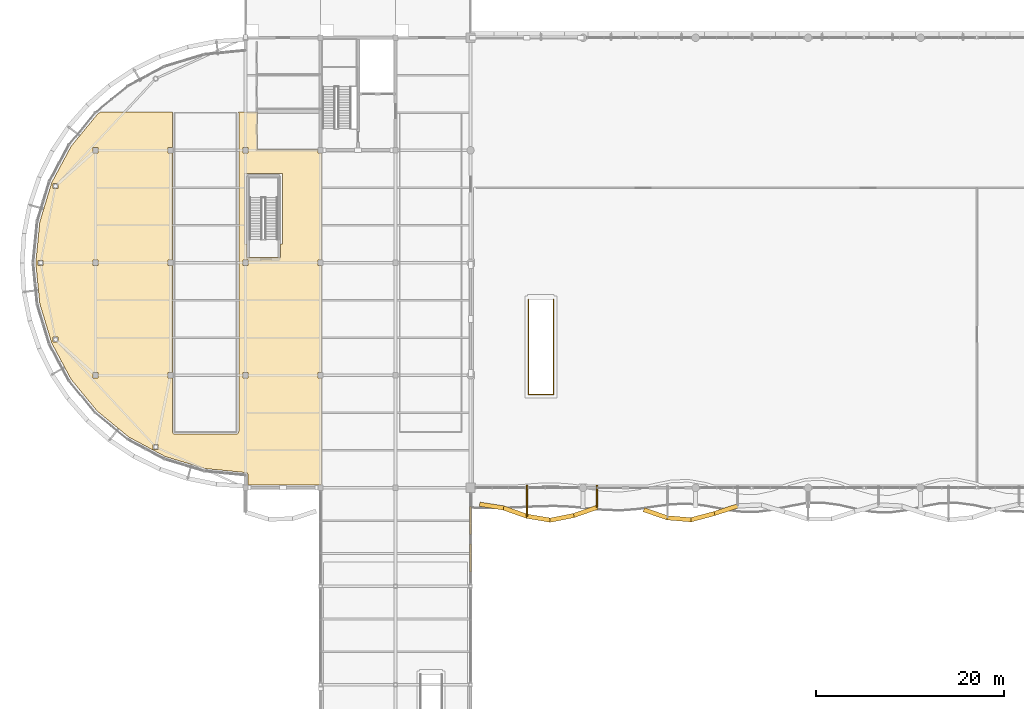
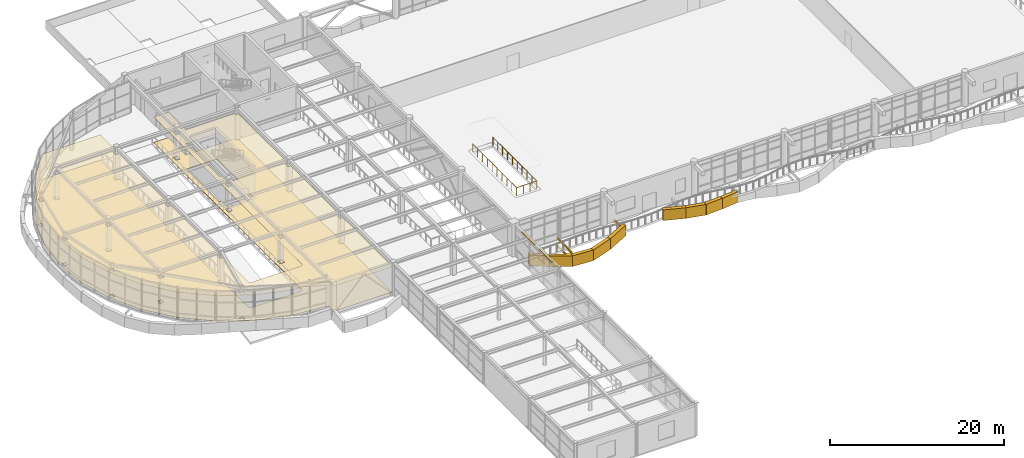
# One storey, part 58 of 72: 14 coverings, 2 shading devices, 1 railing.
"""IFC4 building model written with IfcOpenShell, lengths in metres."""

from ifc_helpers import new_model, si_unit, direction, frame, frame_2d, origin, origin_2d, place, context, subcontext, project, spatial, polyline, rectangle, circle, outline, extrude, material, layer, layer_set, type_object, element, save


model = new_model("IFC4")

# Units and contexts
model_context = context("Model", 3, precision=1e-05, world=origin(), true_north=direction((0.0, 1.0)))
body_context = subcontext(model_context, "Body", "Model", "MODEL_VIEW")
ifc_project = project(units=[si_unit("LENGTHUNIT", "METRE"), si_unit("AREAUNIT", "SQUARE_METRE"), si_unit("VOLUMEUNIT", "CUBIC_METRE"), si_unit("PLANEANGLEUNIT", "RADIAN"), si_unit("MASSUNIT", "GRAM", prefix="KILO")], contexts=[model_context])

# Site, building, storey
site_placement = place(None, origin())
site = spatial("IfcSite", under=ifc_project, at=site_placement, CompositionType="ELEMENT")
building_placement = place(site_placement, origin())
building = spatial("IfcBuilding", under=site, at=building_placement, Name="Keelwater Ferry Terminal", CompositionType="ELEMENT")
storey_placement = place(building_placement, frame((0.0, 0.0, 5.39990234375)))
storey = spatial("IfcBuildingStorey", under=building, at=storey_placement, Name="L01", CompositionType="ELEMENT", Elevation=5.39990234375)

# Coverings
ifc_material_1 = material(Name="Perforated acoustic gypsum board ceiling", Category="gypsum")
ifc_layer_1 = layer(ifc_material_1, 0.044921875)
ifc_layer_set_1 = layer_set([ifc_layer_1], Name="Perforated acoustic gypsum board ceiling")
covering_type_1 = type_object("IfcCoveringType", Name="CL-AC Acoustic Baffle Ceiling", PredefinedType="CEILING", material=ifc_layer_set_1)
covering_1_placement = place(storey_placement, frame((0.0, 0.0, 3.550048828125)))
element("IfcCovering", 1, at=covering_1_placement, inside=storey, type_object=covering_type_1, Name="Car Check-In Deck Acoustic Ceiling", PredefinedType="CEILING", context=body_context, shape_type="SweptSolid", body=[
    extrude(outline(polyline([(14.125, 46.0380859375), (14.116943359375, 46.041015625), (14.110107421875, 46.0439453125), (14.001953125, 46.10205078125), (11.5791015625, 47.39697265625), (11.572998046875, 47.40087890625), (11.56591796875, 47.406005859375), (8.18896484375, 50.177978515625), (8.18310546875, 50.18310546875), (8.177978515625, 50.18896484375), (5.406005859375, 53.56591796875), (5.40087890625, 53.572998046875), (5.39697265625, 53.5791015625), (4.674072265625, 54.931884765625), (3.333984375, 57.43896484375), (3.333984375, 57.43896484375), (3.333984375, 57.44091796875), (2.698974609375, 59.532958984375), (2.06298828125, 61.62890625), (2.06201171875, 61.635986328125), (2.06005859375, 61.64404296875), (1.632080078125, 65.991943359375), (1.632080078125, 66.0), (1.632080078125, 66.008056640625), (2.06005859375, 70.35595703125), (2.06201171875, 70.364013671875), (2.06298828125, 70.37109375), (2.698974609375, 72.467041015625), (3.333984375, 74.55908203125), (3.333984375, 74.56103515625), (3.333984375, 74.56103515625), (4.674072265625, 77.068115234375), (5.39697265625, 78.4208984375), (5.40087890625, 78.427001953125), (5.406005859375, 78.43408203125), (8.177978515625, 81.81103515625), (8.18310546875, 81.81689453125), (8.18896484375, 81.822021484375), (8.48095703125, 82.06201171875), (8.488037109375, 82.06591796875), (8.493896484375, 82.071044921875), (8.5009765625, 82.073974609375), (8.509033203125, 82.076904296875), (8.51611328125, 82.077880859375), (8.52392578125, 82.080078125), (8.531982421875, 82.080078125), (16.2470703125, 82.080078125), (16.240966796875, 82.06689453125), (16.23193359375, 82.041015625), (16.22509765625, 82.014892578125), (16.220947265625, 81.987060546875), (16.219970703125, 81.9599609375), (16.219970703125, 78.284912109375), (15.715087890625, 78.284912109375), (15.715087890625, 77.715087890625), (16.219970703125, 77.715087890625), (16.219970703125, 66.284912109375), (15.715087890625, 66.284912109375), (15.715087890625, 65.715087890625), (16.219970703125, 65.715087890625), (16.219970703125, 54.284912109375), (15.715087890625, 54.284912109375), (15.715087890625, 53.715087890625), (16.219970703125, 53.715087890625), (16.219970703125, 48.0), (16.220947265625, 47.972900390625), (16.22509765625, 47.945068359375), (16.23193359375, 47.9189453125), (16.240966796875, 47.89306640625), (16.2529296875, 47.867919921875), (16.26708984375, 47.843994140625), (16.283935546875, 47.822021484375), (16.302001953125, 47.802001953125), (16.322021484375, 47.783935546875), (16.343994140625, 47.76708984375), (16.367919921875, 47.7529296875), (16.39306640625, 47.740966796875), (16.4189453125, 47.73193359375), (16.445068359375, 47.72509765625), (16.472900390625, 47.720947265625), (16.5, 47.719970703125), (23.0, 47.719970703125), (23.027099609375, 47.720947265625), (23.054931640625, 47.72509765625), (23.0810546875, 47.73193359375), (23.10693359375, 47.740966796875), (23.132080078125, 47.7529296875), (23.156005859375, 47.76708984375), (23.177978515625, 47.783935546875), (23.197998046875, 47.802001953125), (23.216064453125, 47.822021484375), (23.23291015625, 47.843994140625), (23.2470703125, 47.867919921875), (23.259033203125, 47.89306640625), (23.26806640625, 47.9189453125), (23.27490234375, 47.945068359375), (23.279052734375, 47.972900390625), (23.280029296875, 48.0), (23.280029296875, 81.9599609375), (23.279052734375, 81.987060546875), (23.27490234375, 82.014892578125), (23.26806640625, 82.041015625), (23.259033203125, 82.06689453125), (23.2529296875, 82.080078125), (25.199951171875, 82.080078125), (25.2080078125, 82.080078125), (25.216064453125, 82.077880859375), (25.222900390625, 82.076904296875), (25.23095703125, 82.073974609375), (25.238037109375, 82.071044921875), (25.243896484375, 82.06689453125), (25.2509765625, 82.06201171875), (25.257080078125, 82.056884765625), (25.261962890625, 82.051025390625), (25.26708984375, 82.0439453125), (25.27099609375, 82.0380859375), (25.27392578125, 82.031005859375), (25.277099609375, 82.02294921875), (25.278076171875, 82.01611328125), (25.280029296875, 82.008056640625), (25.280029296875, 82.0), (25.280029296875, 78.080078125), (31.705078125, 78.080078125), (31.712890625, 78.080078125), (31.715087890625, 78.0791015625), (31.715087890625, 77.715087890625), (32.0791015625, 77.715087890625), (32.080078125, 77.712890625), (32.080078125, 77.705078125), (32.080078125, 66.294921875), (32.080078125, 66.287109375), (32.0791015625, 66.284912109375), (31.715087890625, 66.284912109375), (31.715087890625, 65.715087890625), (32.0791015625, 65.715087890625), (32.080078125, 65.712890625), (32.080078125, 65.705078125), (32.080078125, 54.294921875), (32.080078125, 54.287109375), (32.0791015625, 54.284912109375), (31.715087890625, 54.284912109375), (31.715087890625, 53.715087890625), (32.0791015625, 53.715087890625), (32.080078125, 53.712890625), (32.080078125, 53.705078125), (32.080078125, 42.39990234375), (32.080078125, 42.39208984375), (32.077880859375, 42.384033203125), (32.076904296875, 42.376953125), (32.073974609375, 42.368896484375), (32.071044921875, 42.362060546875), (32.06689453125, 42.35595703125), (32.06201171875, 42.34912109375), (32.056884765625, 42.343017578125), (32.051025390625, 42.337890625), (32.0439453125, 42.3330078125), (32.0380859375, 42.3291015625), (32.031005859375, 42.325927734375), (32.02294921875, 42.322998046875), (32.01611328125, 42.322021484375), (32.008056640625, 42.320068359375), (32.0, 42.320068359375), (24.360107421875, 42.320068359375), (24.35205078125, 42.320068359375), (24.343994140625, 42.322021484375), (24.3369140625, 42.322998046875), (24.3291015625, 42.325927734375), (24.322021484375, 42.3291015625), (24.31591796875, 42.3330078125), (24.30908203125, 42.337890625), (24.302978515625, 42.343017578125), (24.298095703125, 42.34912109375), (24.29296875, 42.35595703125), (24.2890625, 42.362060546875), (24.285888671875, 42.368896484375), (24.282958984375, 42.376953125), (24.281982421875, 42.384033203125), (24.280029296875, 42.39208984375), (24.280029296875, 42.39990234375), (24.280029296875, 43.345947265625), (24.280029296875, 43.35009765625), (24.279052734375, 43.376953125), (24.27490234375, 43.405029296875), (24.26806640625, 43.430908203125), (24.259033203125, 43.45703125), (24.2470703125, 43.48193359375), (24.23291015625, 43.506103515625), (24.216064453125, 43.528076171875), (24.197998046875, 43.548095703125), (24.177978515625, 43.56591796875), (24.156005859375, 43.5830078125), (24.132080078125, 43.596923828125), (24.10693359375, 43.60888671875), (24.0810546875, 43.617919921875), (24.054931640625, 43.625), (24.027099609375, 43.62890625), (20.1689453125, 44.009033203125), (19.64404296875, 44.06005859375), (19.635986328125, 44.06201171875), (19.62890625, 44.06298828125), (17.532958984375, 44.698974609375), (15.44091796875, 45.333984375), (15.43896484375, 45.333984375), (15.43896484375, 45.333984375), (14.158935546875, 46.01806640625), (14.156005859375, 46.02001953125), (14.14892578125, 46.02490234375), (14.14306640625, 46.030029296875), (14.138916015625, 46.035888671875), (14.132080078125, 46.037109375), (14.125, 46.0380859375)]), holes=[polyline([(27.719970703125, 68.0), (27.93994140625, 68.0), (27.93994140625, 74.97998046875), (27.93994140625, 75.5400390625), (23.89990234375, 75.5400390625), (23.89990234375, 74.97998046875), (23.89990234375, 68.0), (24.179931640625, 68.0), (24.179931640625, 66.580078125), (27.719970703125, 66.580078125), (27.719970703125, 68.0)]), polyline([(14.68603515625, 46.625), (14.157958984375, 46.625), (14.157958984375, 46.096923828125), (14.68603515625, 46.096923828125), (14.68603515625, 46.625)]), polyline([(7.715087890625, 54.284912109375), (7.715087890625, 53.715087890625), (8.284912109375, 53.715087890625), (8.284912109375, 54.284912109375), (7.715087890625, 54.284912109375)]), polyline([(23.715087890625, 54.284912109375), (23.715087890625, 53.715087890625), (24.284912109375, 53.715087890625), (24.284912109375, 54.284912109375), (23.715087890625, 54.284912109375)]), polyline([(4.0048828125, 58.0791015625), (3.47705078125, 58.0791015625), (3.47705078125, 57.551025390625), (4.0048828125, 57.551025390625), (4.0048828125, 58.0791015625)]), polyline([(1.885986328125, 66.263916015625), (1.885986328125, 65.736083984375), (2.4140625, 65.736083984375), (2.4140625, 66.263916015625), (1.885986328125, 66.263916015625)]), polyline([(7.715087890625, 66.284912109375), (7.715087890625, 65.715087890625), (8.284912109375, 65.715087890625), (8.284912109375, 66.284912109375), (7.715087890625, 66.284912109375)]), polyline([(23.715087890625, 66.284912109375), (23.715087890625, 65.715087890625), (24.284912109375, 65.715087890625), (24.284912109375, 66.284912109375), (23.715087890625, 66.284912109375)]), polyline([(4.0048828125, 74.448974609375), (3.47705078125, 74.448974609375), (3.47705078125, 73.9208984375), (4.0048828125, 73.9208984375), (4.0048828125, 74.448974609375)]), polyline([(7.715087890625, 78.284912109375), (7.715087890625, 77.715087890625), (8.284912109375, 77.715087890625), (8.284912109375, 78.284912109375), (7.715087890625, 78.284912109375)]), polyline([(24.284912109375, 78.284912109375), (23.715087890625, 78.284912109375), (23.715087890625, 77.715087890625), (24.284912109375, 77.715087890625), (24.284912109375, 78.284912109375)])]), origin(), (0.0, 0.0, 1.0), 0.045166015625),
])
ifc_material_2 = material(Name="Polished mineral terrazzo tile", Category="stone")
ifc_layer_2 = layer(ifc_material_2, 0.030029296875)
ifc_layer_set_2 = layer_set([ifc_layer_2], Name="Polished mineral terrazzo tile")
covering_type_2 = type_object("IfcCoveringType", Name="FL-TZ Marine Terrazzo Flooring", PredefinedType="FLOORING", material=ifc_layer_set_2)
covering_2_placement = place(storey_placement, origin())
element("IfcCovering", 2, at=covering_2_placement, inside=storey, type_object=covering_type_2, Name="Car Check-In Deck Terrazzo Floor", PredefinedType="FLOORING", context=body_context, shape_type="SweptSolid", body=[
    extrude(outline(polyline([(14.125, 46.0380859375), (14.116943359375, 46.041015625), (14.110107421875, 46.0439453125), (14.001953125, 46.10205078125), (11.5791015625, 47.39697265625), (11.572998046875, 47.40087890625), (11.56591796875, 47.406005859375), (8.18896484375, 50.177978515625), (8.18310546875, 50.18310546875), (8.177978515625, 50.18896484375), (5.406005859375, 53.56591796875), (5.40087890625, 53.572998046875), (5.39697265625, 53.5791015625), (4.674072265625, 54.931884765625), (3.333984375, 57.43896484375), (3.333984375, 57.43896484375), (3.333984375, 57.44091796875), (2.698974609375, 59.532958984375), (2.06298828125, 61.62890625), (2.06201171875, 61.635986328125), (2.06005859375, 61.64404296875), (1.632080078125, 65.991943359375), (1.632080078125, 66.0), (1.632080078125, 66.008056640625), (2.06005859375, 70.35595703125), (2.06201171875, 70.364013671875), (2.06298828125, 70.37109375), (2.698974609375, 72.467041015625), (3.333984375, 74.55908203125), (3.333984375, 74.56103515625), (3.333984375, 74.56103515625), (4.674072265625, 77.068115234375), (5.39697265625, 78.4208984375), (5.40087890625, 78.427001953125), (5.406005859375, 78.43408203125), (8.177978515625, 81.81103515625), (8.18310546875, 81.81689453125), (8.18896484375, 81.822021484375), (8.48095703125, 82.06201171875), (8.488037109375, 82.06591796875), (8.493896484375, 82.071044921875), (8.5009765625, 82.073974609375), (8.509033203125, 82.076904296875), (8.51611328125, 82.077880859375), (8.52392578125, 82.080078125), (8.531982421875, 82.080078125), (16.2470703125, 82.080078125), (16.240966796875, 82.06689453125), (16.23193359375, 82.041015625), (16.22509765625, 82.014892578125), (16.220947265625, 81.987060546875), (16.219970703125, 81.9599609375), (16.219970703125, 78.284912109375), (15.715087890625, 78.284912109375), (15.715087890625, 77.715087890625), (16.219970703125, 77.715087890625), (16.219970703125, 66.284912109375), (15.715087890625, 66.284912109375), (15.715087890625, 65.715087890625), (16.219970703125, 65.715087890625), (16.219970703125, 54.284912109375), (15.715087890625, 54.284912109375), (15.715087890625, 53.715087890625), (16.219970703125, 53.715087890625), (16.219970703125, 48.0), (16.220947265625, 47.972900390625), (16.22509765625, 47.945068359375), (16.23193359375, 47.9189453125), (16.240966796875, 47.89306640625), (16.2529296875, 47.867919921875), (16.26708984375, 47.843994140625), (16.283935546875, 47.822021484375), (16.302001953125, 47.802001953125), (16.322021484375, 47.783935546875), (16.343994140625, 47.76708984375), (16.367919921875, 47.7529296875), (16.39306640625, 47.740966796875), (16.4189453125, 47.73193359375), (16.445068359375, 47.72509765625), (16.472900390625, 47.720947265625), (16.5, 47.719970703125), (23.0, 47.719970703125), (23.027099609375, 47.720947265625), (23.054931640625, 47.72509765625), (23.0810546875, 47.73193359375), (23.10693359375, 47.740966796875), (23.132080078125, 47.7529296875), (23.156005859375, 47.76708984375), (23.177978515625, 47.783935546875), (23.197998046875, 47.802001953125), (23.216064453125, 47.822021484375), (23.23291015625, 47.843994140625), (23.2470703125, 47.867919921875), (23.259033203125, 47.89306640625), (23.26806640625, 47.9189453125), (23.27490234375, 47.945068359375), (23.279052734375, 47.972900390625), (23.280029296875, 48.0), (23.280029296875, 81.9599609375), (23.279052734375, 81.987060546875), (23.27490234375, 82.014892578125), (23.26806640625, 82.041015625), (23.259033203125, 82.06689453125), (23.2529296875, 82.080078125), (25.199951171875, 82.080078125), (25.2080078125, 82.080078125), (25.216064453125, 82.077880859375), (25.222900390625, 82.076904296875), (25.23095703125, 82.073974609375), (25.238037109375, 82.071044921875), (25.243896484375, 82.06689453125), (25.2509765625, 82.06201171875), (25.257080078125, 82.056884765625), (25.261962890625, 82.051025390625), (25.26708984375, 82.0439453125), (25.27099609375, 82.0380859375), (25.27392578125, 82.031005859375), (25.277099609375, 82.02294921875), (25.278076171875, 82.01611328125), (25.280029296875, 82.008056640625), (25.280029296875, 82.0), (25.280029296875, 78.080078125), (31.705078125, 78.080078125), (31.712890625, 78.080078125), (31.715087890625, 78.0791015625), (31.715087890625, 77.715087890625), (32.0791015625, 77.715087890625), (32.080078125, 77.712890625), (32.080078125, 77.705078125), (32.080078125, 66.294921875), (32.080078125, 66.287109375), (32.0791015625, 66.284912109375), (31.715087890625, 66.284912109375), (31.715087890625, 65.715087890625), (32.0791015625, 65.715087890625), (32.080078125, 65.712890625), (32.080078125, 65.705078125), (32.080078125, 54.294921875), (32.080078125, 54.287109375), (32.0791015625, 54.284912109375), (31.715087890625, 54.284912109375), (31.715087890625, 53.715087890625), (32.0791015625, 53.715087890625), (32.080078125, 53.712890625), (32.080078125, 53.705078125), (32.080078125, 42.39990234375), (32.080078125, 42.39208984375), (32.077880859375, 42.384033203125), (32.076904296875, 42.376953125), (32.073974609375, 42.368896484375), (32.071044921875, 42.362060546875), (32.06689453125, 42.35595703125), (32.06201171875, 42.34912109375), (32.056884765625, 42.343017578125), (32.051025390625, 42.337890625), (32.0439453125, 42.3330078125), (32.0380859375, 42.3291015625), (32.031005859375, 42.325927734375), (32.02294921875, 42.322998046875), (32.01611328125, 42.322021484375), (32.008056640625, 42.320068359375), (32.0, 42.320068359375), (24.360107421875, 42.320068359375), (24.35205078125, 42.320068359375), (24.343994140625, 42.322021484375), (24.3369140625, 42.322998046875), (24.3291015625, 42.325927734375), (24.322021484375, 42.3291015625), (24.31591796875, 42.3330078125), (24.30908203125, 42.337890625), (24.302978515625, 42.343017578125), (24.298095703125, 42.34912109375), (24.29296875, 42.35595703125), (24.2890625, 42.362060546875), (24.285888671875, 42.368896484375), (24.282958984375, 42.376953125), (24.281982421875, 42.384033203125), (24.280029296875, 42.39208984375), (24.280029296875, 42.39990234375), (24.280029296875, 43.345947265625), (24.280029296875, 43.35009765625), (24.279052734375, 43.376953125), (24.27490234375, 43.405029296875), (24.26806640625, 43.430908203125), (24.259033203125, 43.45703125), (24.2470703125, 43.48193359375), (24.23291015625, 43.506103515625), (24.216064453125, 43.528076171875), (24.197998046875, 43.548095703125), (24.177978515625, 43.56591796875), (24.156005859375, 43.5830078125), (24.132080078125, 43.596923828125), (24.10693359375, 43.60888671875), (24.0810546875, 43.617919921875), (24.054931640625, 43.625), (24.027099609375, 43.62890625), (20.1689453125, 44.009033203125), (19.64404296875, 44.06005859375), (19.635986328125, 44.06201171875), (19.62890625, 44.06298828125), (17.532958984375, 44.698974609375), (15.44091796875, 45.333984375), (15.43896484375, 45.333984375), (15.43896484375, 45.333984375), (14.158935546875, 46.01806640625), (14.156005859375, 46.02001953125), (14.14892578125, 46.02490234375), (14.14306640625, 46.030029296875), (14.138916015625, 46.035888671875), (14.132080078125, 46.037109375), (14.125, 46.0380859375)]), holes=[polyline([(27.719970703125, 68.0), (27.93994140625, 68.0), (27.93994140625, 74.97998046875), (27.93994140625, 75.5400390625), (23.89990234375, 75.5400390625), (23.89990234375, 74.97998046875), (23.89990234375, 68.0), (24.179931640625, 68.0), (24.179931640625, 66.580078125), (27.719970703125, 66.580078125), (27.719970703125, 68.0)]), polyline([(14.68603515625, 46.625), (14.157958984375, 46.625), (14.157958984375, 46.096923828125), (14.68603515625, 46.096923828125), (14.68603515625, 46.625)]), polyline([(7.715087890625, 54.284912109375), (7.715087890625, 53.715087890625), (8.284912109375, 53.715087890625), (8.284912109375, 54.284912109375), (7.715087890625, 54.284912109375)]), polyline([(23.715087890625, 54.284912109375), (23.715087890625, 53.715087890625), (24.284912109375, 53.715087890625), (24.284912109375, 54.284912109375), (23.715087890625, 54.284912109375)]), polyline([(4.0048828125, 58.0791015625), (3.47705078125, 58.0791015625), (3.47705078125, 57.551025390625), (4.0048828125, 57.551025390625), (4.0048828125, 58.0791015625)]), polyline([(1.885986328125, 66.263916015625), (1.885986328125, 65.736083984375), (2.4140625, 65.736083984375), (2.4140625, 66.263916015625), (1.885986328125, 66.263916015625)]), polyline([(7.715087890625, 66.284912109375), (7.715087890625, 65.715087890625), (8.284912109375, 65.715087890625), (8.284912109375, 66.284912109375), (7.715087890625, 66.284912109375)]), polyline([(23.715087890625, 66.284912109375), (23.715087890625, 65.715087890625), (24.284912109375, 65.715087890625), (24.284912109375, 66.284912109375), (23.715087890625, 66.284912109375)]), polyline([(4.0048828125, 74.448974609375), (3.47705078125, 74.448974609375), (3.47705078125, 73.9208984375), (4.0048828125, 73.9208984375), (4.0048828125, 74.448974609375)]), polyline([(7.715087890625, 78.284912109375), (7.715087890625, 77.715087890625), (8.284912109375, 77.715087890625), (8.284912109375, 78.284912109375), (7.715087890625, 78.284912109375)]), polyline([(24.284912109375, 78.284912109375), (23.715087890625, 78.284912109375), (23.715087890625, 77.715087890625), (24.284912109375, 77.715087890625), (24.284912109375, 78.284912109375)])]), origin(), (0.0, 0.0, 1.0), 0.030029296875),
])

# Railing
ifc_material_3 = material(Name="Painted Steel S355", Category="steel")
railing_type = type_object("IfcRailingType", Name="GR-115 Stair Well Guardrail", PredefinedType="GUARDRAIL", material=ifc_material_3)
railing_placement = place(storey_placement, frame((56.840087890625, 62.080078125, 0.0)))
element("IfcRailing", 3, at=railing_placement, inside=storey, type_object=railing_type, Name="Straight Stair GS-01 Top Well U-Guard 117", PredefinedType="GUARDRAIL", context=body_context, shape_type="SweptSolid", body=[
    extrude(circle(Radius=0.02392578125, at=origin_2d()), frame((0.0, 0.0, 1.1259765625), z_axis=(0.0, -1.0, 0.0), x_axis=(1.0, 0.0, 0.0)), (0.0, 0.0, 1.0), 10.1201171875),
    extrude(circle(Radius=0.02392578125, at=origin_2d()), frame((0.0, -10.1201171875, 1.1259765625), z_axis=(-1.0, 0.0, 0.0), x_axis=(0.0, -1.0, 0.0)), (0.0, 0.0, 1.0), 2.68017578125),
    extrude(circle(Radius=0.02392578125, at=origin_2d()), frame((-2.68017578125, -10.1201171875, 1.1259765625), z_axis=(0.0, 1.0, 0.0), x_axis=(-1.0, 0.0, 0.0)), (0.0, 0.0, 1.0), 10.1201171875),
    extrude(circle(Radius=0.02099609375, at=origin_2d()), origin(), (0.0, 0.0, 1.0), 1.101806640625),
    extrude(circle(Radius=0.02099609375, at=origin_2d()), frame((0.0, -1.12451171875, 0.0)), (0.0, 0.0, 1.0), 1.101806640625),
    extrude(circle(Radius=0.02099609375, at=origin_2d()), frame((0.0, -2.2490234375, 0.0)), (0.0, 0.0, 1.0), 1.101806640625),
    extrude(circle(Radius=0.02099609375, at=origin_2d()), frame((0.0, -3.373291015625, 0.0)), (0.0, 0.0, 1.0), 1.101806640625),
    extrude(circle(Radius=0.02099609375, at=origin_2d()), frame((0.0, -4.497802734375, 0.0)), (0.0, 0.0, 1.0), 1.101806640625),
    extrude(circle(Radius=0.02099609375, at=origin_2d()), frame((0.0, -5.622314453125, 0.0)), (0.0, 0.0, 1.0), 1.101806640625),
    extrude(circle(Radius=0.02099609375, at=origin_2d()), frame((0.0, -6.746826171875, 0.0)), (0.0, 0.0, 1.0), 1.101806640625),
    extrude(circle(Radius=0.02099609375, at=origin_2d()), frame((0.0, -7.87109375, 0.0)), (0.0, 0.0, 1.0), 1.101806640625),
    extrude(circle(Radius=0.02099609375, at=origin_2d()), frame((0.0, -8.99560546875, 0.0)), (0.0, 0.0, 1.0), 1.101806640625),
    extrude(circle(Radius=0.02099609375, at=origin_2d()), frame((0.0, -10.1201171875, 0.0)), (0.0, 0.0, 1.0), 1.101806640625),
    extrude(circle(Radius=0.02099609375, at=origin_2d()), frame((-0.893310546875, -10.1201171875, 0.0)), (0.0, 0.0, 1.0), 1.101806640625),
    extrude(circle(Radius=0.02099609375, at=origin_2d()), frame((-1.786865234375, -10.1201171875, 0.0)), (0.0, 0.0, 1.0), 1.101806640625),
    extrude(circle(Radius=0.02099609375, at=origin_2d()), frame((-2.68017578125, -10.1201171875, 0.0)), (0.0, 0.0, 1.0), 1.101806640625),
    extrude(circle(Radius=0.02099609375, at=origin_2d()), frame((-2.68017578125, -8.99560546875, 0.0)), (0.0, 0.0, 1.0), 1.101806640625),
    extrude(circle(Radius=0.02099609375, at=origin_2d()), frame((-2.68017578125, -7.87109375, 0.0)), (0.0, 0.0, 1.0), 1.101806640625),
    extrude(circle(Radius=0.02099609375, at=origin_2d()), frame((-2.68017578125, -6.746826171875, 0.0)), (0.0, 0.0, 1.0), 1.101806640625),
    extrude(circle(Radius=0.02099609375, at=origin_2d()), frame((-2.68017578125, -5.622314453125, 0.0)), (0.0, 0.0, 1.0), 1.101806640625),
    extrude(circle(Radius=0.02099609375, at=origin_2d()), frame((-2.68017578125, -4.497802734375, 0.0)), (0.0, 0.0, 1.0), 1.101806640625),
    extrude(circle(Radius=0.02099609375, at=origin_2d()), frame((-2.68017578125, -3.373291015625, 0.0)), (0.0, 0.0, 1.0), 1.101806640625),
    extrude(circle(Radius=0.02099609375, at=origin_2d()), frame((-2.68017578125, -2.2490234375, 0.0)), (0.0, 0.0, 1.0), 1.101806640625),
    extrude(circle(Radius=0.02099609375, at=origin_2d()), frame((-2.68017578125, -1.12451171875, 0.0)), (0.0, 0.0, 1.0), 1.101806640625),
    extrude(circle(Radius=0.02099609375, at=origin_2d()), frame((-2.68017578125, 0.0, 0.0)), (0.0, 0.0, 1.0), 1.101806640625),
])

# Shading devices
ifc_material_4 = material(Name="Anodised marine aluminium louvre", Category="aluminium")
ifc_layer_3 = layer(ifc_material_4, 0.080078125)
ifc_layer_set_3 = layer_set([ifc_layer_3], Name="Anodised marine aluminium louvre")
shading_device_type = type_object("IfcShadingDeviceType", Name="LV-MAR Marine Shading Louvre", PredefinedType="JALOUSIE", material=ifc_layer_set_3)
for number, where, z_axis, x_axis, name in (
    (4, (48.0, 34.5, 4.31005859375), (0.0, 0.0, 1.0), (1.0, 0.0, 0.0), "Marine Shading Louvre 9"),
    (5, (48.0, 38.5, 4.31005859375), (0.0, 0.0, 1.0), (1.0, 0.0, 0.0), "Marine Shading Louvre 10"),
):
    element("IfcShadingDevice", number, at=place(storey_placement, frame(where, z_axis=z_axis, x_axis=x_axis)), inside=storey, type_object=shading_device_type, Name=name, PredefinedType="JALOUSIE", context=body_context, shape_type="SweptSolid", body=[
        extrude(rectangle(XDim=0.219970703125, YDim=3.0, at=origin_2d()), origin(), (0.0, 0.0, 1.0), 0.080078125),
    ])

# Coverings
ifc_material_5 = material(Name="Matte white architectural aluminium fascia ribbon", Category="aluminium")
ifc_layer_4 = layer(ifc_material_5, 0.1201171875)
ifc_layer_set_4 = layer_set([ifc_layer_4], Name="Matte white architectural aluminium fascia ribbon")
covering_type_3 = type_object("IfcCoveringType", Name="RB-WHT Matte White Fascia Ribbon", PredefinedType="CLADDING", material=ifc_layer_set_4)
covering_3_placement = place(storey_placement, frame((48.97509765625, 40.2509765625, -1.5888671875), z_axis=(0.0, 0.0, 1.0), x_axis=(0.98803907392, -0.154203723716, 0.0)))
element("IfcCovering", 6, at=covering_3_placement, inside=storey, type_object=covering_type_3, Name="Concourse Lower Wave Fascia Ribbon 355", PredefinedType="CLADDING", context=body_context, shape_type="SweptSolid", body=[
    extrude(outline(polyline([(0.0, 0.844970703125), (2.58056640625, 0.0), (2.58056640625, 1.5), (0.0, 2.344970703125), (0.0, 0.844970703125)])), frame((0.0, 0.22998046875, 0.0), z_axis=(0.0, -1.0, 0.0), x_axis=(1.0, 0.0, 0.0)), (0.0, 0.0, 1.0), 0.4599609375),
])
covering_4_placement = place(storey_placement, frame((51.47607421875, 39.864990234375, -1.887939453125), z_axis=(0.0, 0.0, 1.0), x_axis=(0.943140397059, -0.33239463208, 0.0)))
element("IfcCovering", 7, at=covering_4_placement, inside=storey, type_object=covering_type_3, Name="Concourse Lower Wave Fascia Ribbon 358", PredefinedType="CLADDING", context=body_context, shape_type="SweptSolid", body=[
    extrude(outline(polyline([(0.0, 0.299072265625), (2.701416015625, 0.0), (2.701416015625, 1.5), (0.0, 1.799072265625), (0.0, 0.299072265625)])), frame((0.0, 0.22998046875, 0.0), z_axis=(0.0, -1.0, 0.0), x_axis=(1.0, 0.0, 0.0)), (0.0, 0.0, 1.0), 0.4599609375),
])
covering_5_placement = place(storey_placement, frame((53.97509765625, 38.97900390625, -1.887939453125), z_axis=(0.0, 0.0, 1.0), x_axis=(0.985956741922, -0.167000907359, 0.0)))
element("IfcCovering", 8, at=covering_5_placement, inside=storey, type_object=covering_type_3, Name="Concourse Lower Wave Fascia Ribbon 362", PredefinedType="CLADDING", context=body_context, shape_type="SweptSolid", body=[
    extrude(outline(polyline([(0.0, 0.0), (2.586181640625, 0.199951171875), (2.586181640625, 1.699951171875), (0.0, 1.5), (0.0, 0.0)])), frame((0.0, 0.22998046875, 0.0), z_axis=(0.0, -1.0, 0.0), x_axis=(1.0, 0.0, 0.0)), (0.0, 0.0, 1.0), 0.4599609375),
])
covering_6_placement = place(storey_placement, frame((54.0, 38.97509765625, -1.27783203125), z_axis=(0.0, 0.0, 1.0), x_axis=(0.0, 1.0, 0.0)))
element("IfcCovering", 9, at=covering_6_placement, inside=storey, type_object=covering_type_3, Name="Ribbon Horizontal Tie Bracket 366", PredefinedType="CLADDING", context=body_context, shape_type="SweptSolid", body=[
    extrude(rectangle(XDim=3.27490234375, YDim=0.159912109375, at=frame_2d((1.637451171875, 0.0))), origin(), (0.0, 0.0, 1.0), 0.280029296875),
])
covering_7_placement = place(storey_placement, frame((54.0, 38.97509765625, -0.25), z_axis=(0.0, 0.0, 1.0), x_axis=(0.0, 1.0, 0.0)))
element("IfcCovering", 10, at=covering_7_placement, inside=storey, type_object=covering_type_3, Name="Ribbon Slab Tie Bracket 369", PredefinedType="CLADDING", context=body_context, shape_type="SweptSolid", body=[
    extrude(rectangle(XDim=3.27490234375, YDim=0.159912109375, at=frame_2d((1.637451171875, 0.0))), origin(), (0.0, 0.0, 1.0), 0.300048828125),
])
covering_8_placement = place(storey_placement, frame((56.47509765625, 38.5458984375, -1.68798828125), z_axis=(0.0, 0.0, 1.0), x_axis=(0.981310966626, 0.192428653739, 0.0)))
element("IfcCovering", 11, at=covering_8_placement, inside=storey, type_object=covering_type_3, Name="Concourse Lower Wave Fascia Ribbon 374", PredefinedType="CLADDING", context=body_context, shape_type="SweptSolid", body=[
    extrude(outline(polyline([(0.0, 0.0), (2.598388671875, 0.39306640625), (2.598388671875, 1.89306640625), (0.0, 1.5), (0.0, 0.0)])), frame((0.0, 0.22998046875, 0.0), z_axis=(0.0, -1.0, 0.0), x_axis=(1.0, 0.0, 0.0)), (0.0, 0.0, 1.0), 0.4599609375),
])
covering_9_placement = place(storey_placement, frame((58.97607421875, 39.032958984375, -1.294921875), z_axis=(0.0, 0.0, 1.0), x_axis=(0.943818870792, 0.330463219037, 0.0)))
element("IfcCovering", 12, at=covering_9_placement, inside=storey, type_object=covering_type_3, Name="Concourse Lower Wave Fascia Ribbon 378", PredefinedType="CLADDING", context=body_context, shape_type="SweptSolid", body=[
    extrude(outline(polyline([(0.0, 0.0), (2.699462890625, 0.484130859375), (2.699462890625, 1.984130859375), (0.0, 1.5), (0.0, 0.0)])), frame((0.0, 0.22998046875, 0.0), z_axis=(0.0, -1.0, 0.0), x_axis=(1.0, 0.0, 0.0)), (0.0, 0.0, 1.0), 0.4599609375),
])
covering_10_placement = place(storey_placement, frame((61.5, 39.9169921875, -0.25), z_axis=(0.0, 0.0, 1.0), x_axis=(0.0, 1.0, 0.0)))
element("IfcCovering", 13, at=covering_10_placement, inside=storey, type_object=covering_type_3, Name="Ribbon Slab Tie Bracket 385", PredefinedType="CLADDING", context=body_context, shape_type="SweptSolid", body=[
    extrude(rectangle(XDim=2.3330078125, YDim=0.159912109375, at=frame_2d((1.16650390625, 0.0))), origin(), (0.0, 0.0, 1.0), 0.300048828125),
])
covering_11_placement = place(storey_placement, frame((66.47607421875, 39.6640625, -0.266845703125), z_axis=(0.0, 0.0, 1.0), x_axis=(0.946003140815, -0.324157457987, 0.0)))
element("IfcCovering", 14, at=covering_11_placement, inside=storey, type_object=covering_type_3, Name="Concourse Lower Wave Fascia Ribbon 392", PredefinedType="CLADDING", context=body_context, shape_type="SweptSolid", body=[
    extrude(outline(polyline([(0.0, 0.053955078125), (2.693359375, 0.0), (2.693359375, 1.5), (0.0, 1.553955078125), (0.0, 0.053955078125)])), frame((0.0, 0.22998046875, 0.0), z_axis=(0.0, -1.0, 0.0), x_axis=(1.0, 0.0, 0.0)), (0.0, 0.0, 1.0), 0.4599609375),
])
covering_12_placement = place(storey_placement, frame((68.97509765625, 38.801025390625, -0.553955078125), z_axis=(0.0, 0.0, 1.0), x_axis=(0.9964929164, -0.083677162743, 0.0)))
element("IfcCovering", 15, at=covering_12_placement, inside=storey, type_object=covering_type_3, Name="Concourse Lower Wave Fascia Ribbon 396", PredefinedType="CLADDING", context=body_context, shape_type="SweptSolid", body=[
    extrude(outline(polyline([(0.0, 0.287109375), (2.558837890625, 0.0), (2.558837890625, 1.5), (0.0, 1.787109375), (0.0, 0.287109375)])), frame((0.0, 0.22998046875, 0.0), z_axis=(0.0, -1.0, 0.0), x_axis=(1.0, 0.0, 0.0)), (0.0, 0.0, 1.0), 0.4599609375),
])
covering_13_placement = place(storey_placement, frame((71.47607421875, 38.5830078125, -1.0009765625), z_axis=(0.0, 0.0, 1.0), x_axis=(0.966647246159, 0.256111502073, 0.0)))
element("IfcCovering", 16, at=covering_13_placement, inside=storey, type_object=covering_type_3, Name="Concourse Lower Wave Fascia Ribbon 408", PredefinedType="CLADDING", context=body_context, shape_type="SweptSolid", body=[
    extrude(outline(polyline([(0.0, 0.447021484375), (2.6357421875, 0.0), (2.6357421875, 1.5), (0.0, 1.947021484375), (0.0, 0.447021484375)])), frame((0.0, 0.22998046875, 0.0), z_axis=(0.0, -1.0, 0.0), x_axis=(1.0, 0.0, 0.0)), (0.0, 0.0, 1.0), 0.4599609375),
])
covering_14_placement = place(storey_placement, frame((73.97607421875, 39.243896484375, -1.468994140625), z_axis=(0.0, 0.0, 1.0), x_axis=(0.949922945862, 0.312484234682, 0.0)))
element("IfcCovering", 17, at=covering_14_placement, inside=storey, type_object=covering_type_3, Name="Concourse Lower Wave Fascia Ribbon 411", PredefinedType="CLADDING", context=body_context, shape_type="SweptSolid", body=[
    extrude(outline(polyline([(0.0, 0.468017578125), (2.68212890625, 0.0), (2.68212890625, 1.5), (0.0, 1.968017578125), (0.0, 0.468017578125)])), frame((0.0, 0.22998046875, 0.0), z_axis=(0.0, -1.0, 0.0), x_axis=(1.0, 0.0, 0.0)), (0.0, 0.0, 1.0), 0.4599609375),
])

save(model, "model.ifc")
